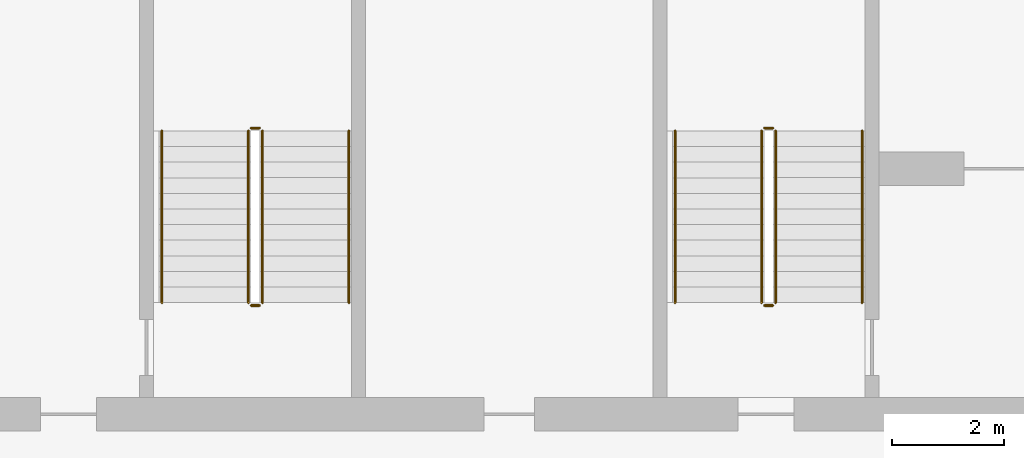
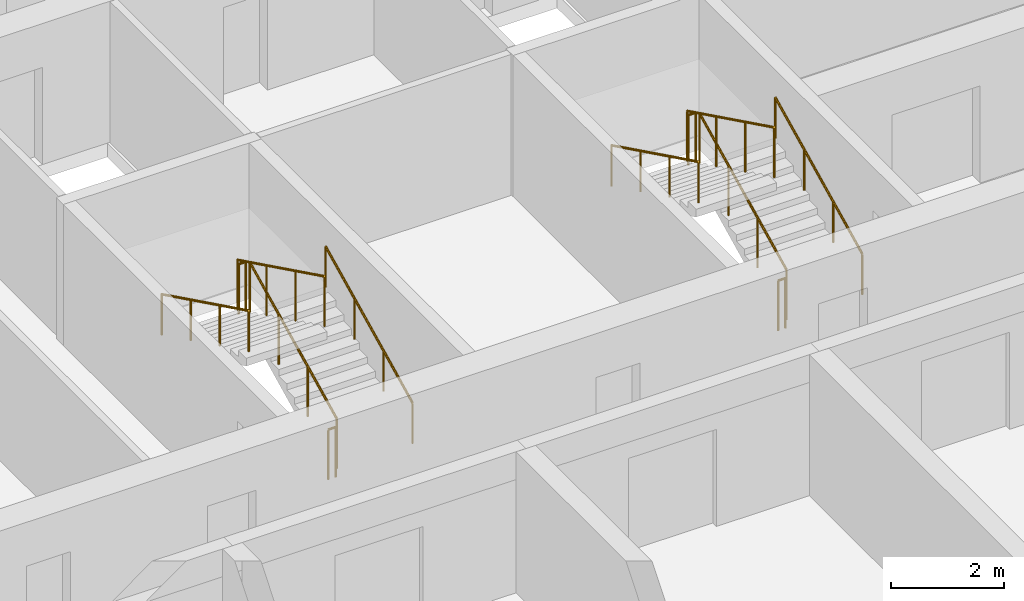
# One storey, part 19 of 21: 12 railings.
"""IFC4 building model written with IfcOpenShell, lengths in metres."""

from ifc_helpers import new_model, si_unit, direction, frame, origin, origin_2d, place, context, subcontext, project, spatial, circle, extrude, material, type_object, element, save


model = new_model("IFC4")

# Units and contexts
model_context = context("Model", 3, precision=1e-05, world=origin(), true_north=direction((0.0, 1.0)))
body_context = subcontext(model_context, "Body", "Model", "MODEL_VIEW")
ifc_project = project(units=[si_unit("LENGTHUNIT", "METRE"), si_unit("AREAUNIT", "SQUARE_METRE"), si_unit("VOLUMEUNIT", "CUBIC_METRE"), si_unit("PLANEANGLEUNIT", "RADIAN"), si_unit("MASSUNIT", "GRAM", prefix="KILO")], contexts=[model_context])

# Site, building, storey
site_placement = place(None, origin())
site = spatial("IfcSite", under=ifc_project, at=site_placement, CompositionType="ELEMENT")
building_placement = place(site_placement, origin())
building = spatial("IfcBuilding", under=site, at=building_placement, Name="Poui Terraces", CompositionType="ELEMENT")
storey_placement = place(building_placement, frame((0.0, 0.0, 53.10009765625)))
storey = spatial("IfcBuildingStorey", under=building, at=storey_placement, Name="L14", CompositionType="ELEMENT", Elevation=53.10009765625)

# Railings
ifc_material_1 = material(Name="Galvanised steel balustrade", Category="steel")
railing_type_1 = type_object("IfcRailingType", Name="STAIR GUARD 1100", PredefinedType="GUARDRAIL", material=ifc_material_1)
railing_1_placement = place(storey_placement, frame((32.074951171875, 16.60009765625, 0.137451171875)))
element("IfcRailing", 1, at=railing_1_placement, inside=storey, type_object=railing_type_1, Name="L14 ST-CW stair guard 1", PredefinedType="GUARDRAIL", context=body_context, shape_type="SweptSolid", body=[
    extrude(circle(Radius=0.02392578125, at=origin_2d()), frame((0.0, 0.0, 1.076171875), z_axis=(0.0, 0.897606190399, 0.440798283751), x_axis=(-1.0, 0.0, 0.0)), (0.0, 0.0, 1.0), 3.43115234375),
    extrude(circle(Radius=0.02099609375, at=origin_2d()), origin(), (0.0, 0.0, 1.0), 1.052001953125),
    extrude(circle(Radius=0.02099609375, at=origin_2d()), frame((0.0, 1.026611328125, 0.504150390625)), (0.0, 0.0, 1.0), 1.052001953125),
    extrude(circle(Radius=0.02099609375, at=origin_2d()), frame((0.0, 2.05322265625, 1.00830078125)), (0.0, 0.0, 1.0), 1.052001953125),
    extrude(circle(Radius=0.02099609375, at=origin_2d()), frame((0.0, 3.079833984375, 1.512451171875)), (0.0, 0.0, 1.0), 1.052001953125),
])
railing_2_placement = place(storey_placement, frame((32.02490234375, 19.72998046875, 1.64990234375)))
element("IfcRailing", 2, at=railing_2_placement, inside=storey, type_object=railing_type_1, Name="L14 ST-CW stair guard 2", PredefinedType="GUARDRAIL", context=body_context, shape_type="SweptSolid", body=[
    extrude(circle(Radius=0.02392578125, at=origin_2d()), frame((0.0, 0.0, 1.076171875), z_axis=(-1.0, 0.0, 0.0), x_axis=(0.0, -1.0, 0.0)), (0.0, 0.0, 1.0), 0.14990234375),
    extrude(circle(Radius=0.02099609375, at=origin_2d()), origin(), (0.0, 0.0, 1.0), 1.052001953125),
    extrude(circle(Radius=0.02099609375, at=origin_2d()), frame((-0.14990234375, 0.0, 0.0)), (0.0, 0.0, 1.0), 1.052001953125),
])
railing_3_placement = place(storey_placement, frame((31.824951171875, 19.679931640625, 1.787353515625)))
element("IfcRailing", 3, at=railing_3_placement, inside=storey, type_object=railing_type_1, Name="L14 ST-CW stair guard 3", PredefinedType="GUARDRAIL", context=body_context, shape_type="SweptSolid", body=[
    extrude(circle(Radius=0.02392578125, at=origin_2d()), frame((0.0, 0.0, 1.076171875), z_axis=(0.0, -0.897606190399, 0.440798283751), x_axis=(1.0, 0.0, 0.0)), (0.0, 0.0, 1.0), 3.43115234375),
    extrude(circle(Radius=0.02099609375, at=origin_2d()), origin(), (0.0, 0.0, 1.0), 1.052001953125),
    extrude(circle(Radius=0.02099609375, at=origin_2d()), frame((0.0, -1.026611328125, 0.504150390625)), (0.0, 0.0, 1.0), 1.052001953125),
    extrude(circle(Radius=0.02099609375, at=origin_2d()), frame((0.0, -2.05322265625, 1.00830078125)), (0.0, 0.0, 1.0), 1.052001953125),
    extrude(circle(Radius=0.02099609375, at=origin_2d()), frame((0.0, -3.079833984375, 1.512451171875)), (0.0, 0.0, 1.0), 1.052001953125),
])
railing_4_placement = place(storey_placement, frame((32.02490234375, 16.550048828125, 0.0)))
element("IfcRailing", 4, at=railing_4_placement, inside=storey, type_object=railing_type_1, Name="L14 ST-CW stair guard 4", PredefinedType="GUARDRAIL", context=body_context, shape_type="SweptSolid", body=[
    extrude(circle(Radius=0.02392578125, at=origin_2d()), frame((0.0, 0.0, 1.076171875), z_axis=(-1.0, 0.0, 0.0), x_axis=(0.0, -1.0, 0.0)), (0.0, 0.0, 1.0), 0.14990234375),
    extrude(circle(Radius=0.02099609375, at=origin_2d()), origin(), (0.0, 0.0, 1.0), 1.052001953125),
    extrude(circle(Radius=0.02099609375, at=origin_2d()), frame((-0.14990234375, 0.0, 0.0)), (0.0, 0.0, 1.0), 1.052001953125),
])
railing_5_placement = place(storey_placement, frame((22.875, 16.60009765625, 0.137451171875)))
element("IfcRailing", 5, at=railing_5_placement, inside=storey, type_object=railing_type_1, Name="L14 ST-W stair guard 1", PredefinedType="GUARDRAIL", context=body_context, shape_type="SweptSolid", body=[
    extrude(circle(Radius=0.02392578125, at=origin_2d()), frame((0.0, 0.0, 1.076171875), z_axis=(0.0, 0.897606190399, 0.440798283751), x_axis=(-1.0, 0.0, 0.0)), (0.0, 0.0, 1.0), 3.43115234375),
    extrude(circle(Radius=0.02099609375, at=origin_2d()), origin(), (0.0, 0.0, 1.0), 1.052001953125),
    extrude(circle(Radius=0.02099609375, at=origin_2d()), frame((0.0, 1.026611328125, 0.504150390625)), (0.0, 0.0, 1.0), 1.052001953125),
    extrude(circle(Radius=0.02099609375, at=origin_2d()), frame((0.0, 2.05322265625, 1.00830078125)), (0.0, 0.0, 1.0), 1.052001953125),
    extrude(circle(Radius=0.02099609375, at=origin_2d()), frame((0.0, 3.079833984375, 1.512451171875)), (0.0, 0.0, 1.0), 1.052001953125),
])
railing_6_placement = place(storey_placement, frame((22.824951171875, 19.72998046875, 1.64990234375)))
element("IfcRailing", 6, at=railing_6_placement, inside=storey, type_object=railing_type_1, Name="L14 ST-W stair guard 2", PredefinedType="GUARDRAIL", context=body_context, shape_type="SweptSolid", body=[
    extrude(circle(Radius=0.02392578125, at=origin_2d()), frame((0.0, 0.0, 1.076171875), z_axis=(-1.0, 0.0, 0.0), x_axis=(0.0, -1.0, 0.0)), (0.0, 0.0, 1.0), 0.14990234375),
    extrude(circle(Radius=0.02099609375, at=origin_2d()), origin(), (0.0, 0.0, 1.0), 1.052001953125),
    extrude(circle(Radius=0.02099609375, at=origin_2d()), frame((-0.14990234375, 0.0, 0.0)), (0.0, 0.0, 1.0), 1.052001953125),
])
railing_7_placement = place(storey_placement, frame((22.625, 19.679931640625, 1.787353515625)))
element("IfcRailing", 7, at=railing_7_placement, inside=storey, type_object=railing_type_1, Name="L14 ST-W stair guard 3", PredefinedType="GUARDRAIL", context=body_context, shape_type="SweptSolid", body=[
    extrude(circle(Radius=0.02392578125, at=origin_2d()), frame((0.0, 0.0, 1.076171875), z_axis=(0.0, -0.897606190399, 0.440798283751), x_axis=(1.0, 0.0, 0.0)), (0.0, 0.0, 1.0), 3.43115234375),
    extrude(circle(Radius=0.02099609375, at=origin_2d()), origin(), (0.0, 0.0, 1.0), 1.052001953125),
    extrude(circle(Radius=0.02099609375, at=origin_2d()), frame((0.0, -1.026611328125, 0.504150390625)), (0.0, 0.0, 1.0), 1.052001953125),
    extrude(circle(Radius=0.02099609375, at=origin_2d()), frame((0.0, -2.05322265625, 1.00830078125)), (0.0, 0.0, 1.0), 1.052001953125),
    extrude(circle(Radius=0.02099609375, at=origin_2d()), frame((0.0, -3.079833984375, 1.512451171875)), (0.0, 0.0, 1.0), 1.052001953125),
])
railing_8_placement = place(storey_placement, frame((22.824951171875, 16.550048828125, 0.0)))
element("IfcRailing", 8, at=railing_8_placement, inside=storey, type_object=railing_type_1, Name="L14 ST-W stair guard 4", PredefinedType="GUARDRAIL", context=body_context, shape_type="SweptSolid", body=[
    extrude(circle(Radius=0.02392578125, at=origin_2d()), frame((0.0, 0.0, 1.076171875), z_axis=(-1.0, 0.0, 0.0), x_axis=(0.0, -1.0, 0.0)), (0.0, 0.0, 1.0), 0.14990234375),
    extrude(circle(Radius=0.02099609375, at=origin_2d()), origin(), (0.0, 0.0, 1.0), 1.052001953125),
    extrude(circle(Radius=0.02099609375, at=origin_2d()), frame((-0.14990234375, 0.0, 0.0)), (0.0, 0.0, 1.0), 1.052001953125),
])
ifc_material_2 = material(Name="Stainless steel handrail", Category="steel")
railing_type_2 = type_object("IfcRailingType", Name="STAIR HANDRAIL 900", PredefinedType="HANDRAIL", material=ifc_material_2)
railing_9_placement = place(storey_placement, frame((33.625, 16.60009765625, 0.137451171875)))
element("IfcRailing", 9, at=railing_9_placement, inside=storey, type_object=railing_type_2, Name="L14 ST-CW stair handrail 1", PredefinedType="HANDRAIL", context=body_context, shape_type="SweptSolid", body=[
    extrude(circle(Radius=0.02392578125, at=origin_2d()), frame((0.0, 0.0, 0.8759765625), z_axis=(0.0, 0.897606190399, 0.440798283751), x_axis=(-1.0, 0.0, 0.0)), (0.0, 0.0, 1.0), 3.43115234375),
    extrude(circle(Radius=0.02099609375, at=origin_2d()), origin(), (0.0, 0.0, 1.0), 0.851806640625),
    extrude(circle(Radius=0.02099609375, at=origin_2d()), frame((0.0, 1.026611328125, 0.504150390625)), (0.0, 0.0, 1.0), 0.851806640625),
    extrude(circle(Radius=0.02099609375, at=origin_2d()), frame((0.0, 2.05322265625, 1.00830078125)), (0.0, 0.0, 1.0), 0.851806640625),
    extrude(circle(Radius=0.02099609375, at=origin_2d()), frame((0.0, 3.079833984375, 1.512451171875)), (0.0, 0.0, 1.0), 0.851806640625),
])
railing_10_placement = place(storey_placement, frame((30.27490234375, 19.679931640625, 1.787353515625)))
element("IfcRailing", 10, at=railing_10_placement, inside=storey, type_object=railing_type_2, Name="L14 ST-CW stair handrail 2", PredefinedType="HANDRAIL", context=body_context, shape_type="SweptSolid", body=[
    extrude(circle(Radius=0.02392578125, at=origin_2d()), frame((0.0, 0.0, 0.8759765625), z_axis=(0.0, -0.897606190399, 0.440798283751), x_axis=(1.0, 0.0, 0.0)), (0.0, 0.0, 1.0), 3.43115234375),
    extrude(circle(Radius=0.02099609375, at=origin_2d()), origin(), (0.0, 0.0, 1.0), 0.851806640625),
    extrude(circle(Radius=0.02099609375, at=origin_2d()), frame((0.0, -1.026611328125, 0.504150390625)), (0.0, 0.0, 1.0), 0.851806640625),
    extrude(circle(Radius=0.02099609375, at=origin_2d()), frame((0.0, -2.05322265625, 1.00830078125)), (0.0, 0.0, 1.0), 0.851806640625),
    extrude(circle(Radius=0.02099609375, at=origin_2d()), frame((0.0, -3.079833984375, 1.512451171875)), (0.0, 0.0, 1.0), 0.851806640625),
])
railing_11_placement = place(storey_placement, frame((24.425048828125, 16.60009765625, 0.137451171875)))
element("IfcRailing", 11, at=railing_11_placement, inside=storey, type_object=railing_type_2, Name="L14 ST-W stair handrail 1", PredefinedType="HANDRAIL", context=body_context, shape_type="SweptSolid", body=[
    extrude(circle(Radius=0.02392578125, at=origin_2d()), frame((0.0, 0.0, 0.8759765625), z_axis=(0.0, 0.897606190399, 0.440798283751), x_axis=(-1.0, 0.0, 0.0)), (0.0, 0.0, 1.0), 3.43115234375),
    extrude(circle(Radius=0.02099609375, at=origin_2d()), origin(), (0.0, 0.0, 1.0), 0.851806640625),
    extrude(circle(Radius=0.02099609375, at=origin_2d()), frame((0.0, 1.026611328125, 0.504150390625)), (0.0, 0.0, 1.0), 0.851806640625),
    extrude(circle(Radius=0.02099609375, at=origin_2d()), frame((0.0, 2.05322265625, 1.00830078125)), (0.0, 0.0, 1.0), 0.851806640625),
    extrude(circle(Radius=0.02099609375, at=origin_2d()), frame((0.0, 3.079833984375, 1.512451171875)), (0.0, 0.0, 1.0), 0.851806640625),
])
railing_12_placement = place(storey_placement, frame((21.074951171875, 19.679931640625, 1.787353515625)))
element("IfcRailing", 12, at=railing_12_placement, inside=storey, type_object=railing_type_2, Name="L14 ST-W stair handrail 2", PredefinedType="HANDRAIL", context=body_context, shape_type="SweptSolid", body=[
    extrude(circle(Radius=0.02392578125, at=origin_2d()), frame((0.0, 0.0, 0.8759765625), z_axis=(0.0, -0.897606190399, 0.440798283751), x_axis=(1.0, 0.0, 0.0)), (0.0, 0.0, 1.0), 3.43115234375),
    extrude(circle(Radius=0.02099609375, at=origin_2d()), origin(), (0.0, 0.0, 1.0), 0.851806640625),
    extrude(circle(Radius=0.02099609375, at=origin_2d()), frame((0.0, -1.026611328125, 0.504150390625)), (0.0, 0.0, 1.0), 0.851806640625),
    extrude(circle(Radius=0.02099609375, at=origin_2d()), frame((0.0, -2.05322265625, 1.00830078125)), (0.0, 0.0, 1.0), 0.851806640625),
    extrude(circle(Radius=0.02099609375, at=origin_2d()), frame((0.0, -3.079833984375, 1.512451171875)), (0.0, 0.0, 1.0), 0.851806640625),
])

save(model, "model.ifc")
